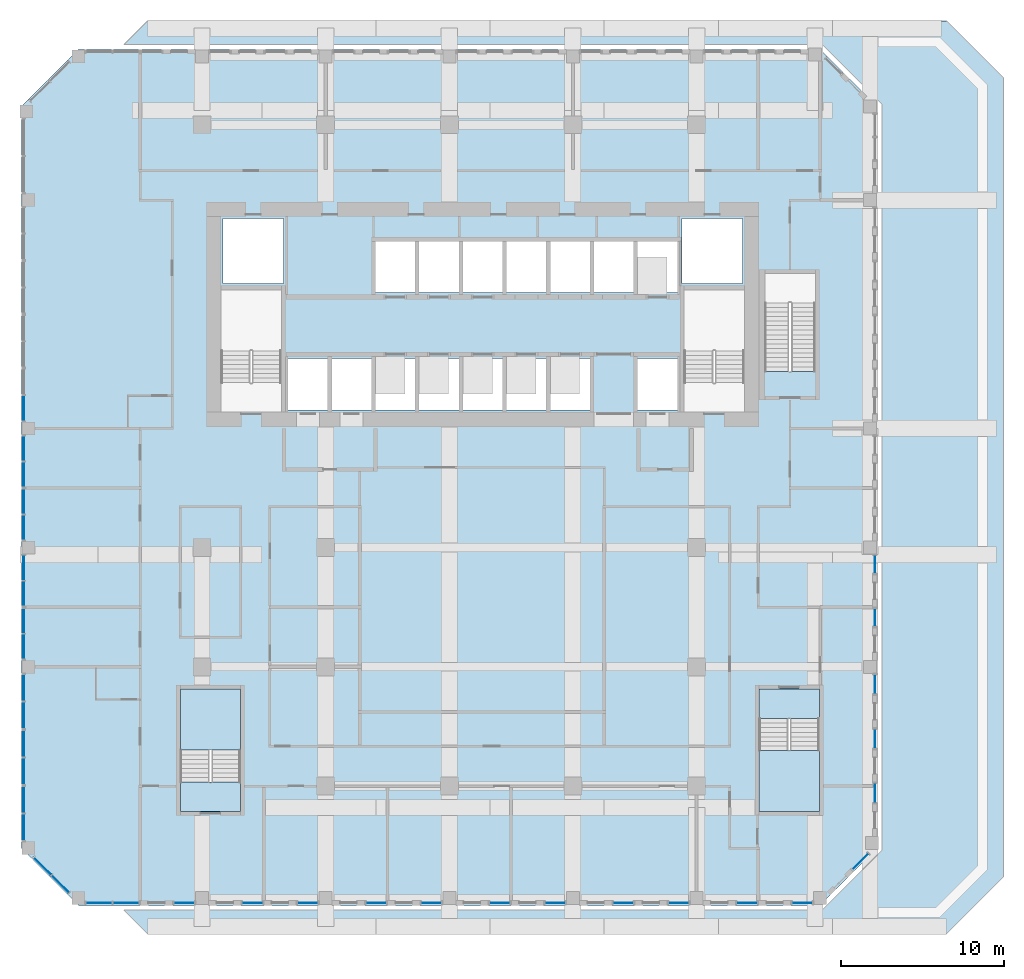
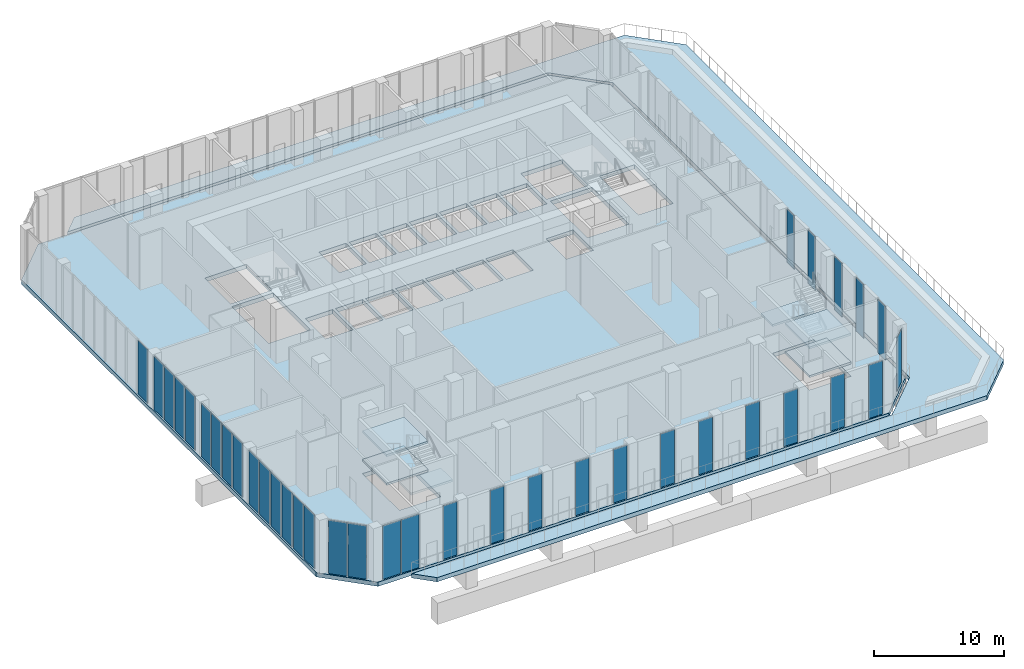
# One storey, part 7 of 19: 36 plates, 8 slabs, 29 elements without a shape of their own.
"""IFC4 building model written with IfcOpenShell, lengths in metres."""

from ifc_helpers import new_model, si_unit, direction, frame, origin, origin_2d, place, context, subcontext, project, spatial, polyline, rectangle, outline, extrude, source, transform, mapped, material, layer, layer_set, type_object, element, aggregate, save


model = new_model("IFC4")

# Units and contexts
model_context = context("Model", 3, precision=1e-05, world=origin(), true_north=direction((0.0, 1.0)))
body_context = subcontext(model_context, "Body", "Model", "MODEL_VIEW")
ifc_project = project(units=[si_unit("LENGTHUNIT", "METRE"), si_unit("AREAUNIT", "SQUARE_METRE"), si_unit("VOLUMEUNIT", "CUBIC_METRE"), si_unit("PLANEANGLEUNIT", "RADIAN"), si_unit("MASSUNIT", "GRAM", prefix="KILO")], contexts=[model_context])

# Site, building, storey
site_placement = place(None, origin())
site = spatial("IfcSite", under=ifc_project, at=site_placement, CompositionType="ELEMENT")
building_placement = place(site_placement, origin())
building = spatial("IfcBuilding", under=site, at=building_placement, Name="Kilnfold Tower and Market Hall", CompositionType="ELEMENT")
storey_placement = place(building_placement, frame((0.0, 0.0, 138.5)))
storey = spatial("IfcBuildingStorey", under=building, at=storey_placement, Name="L31", CompositionType="ELEMENT", Elevation=138.5)

# Slab
ifc_material_1 = material(Name="Concrete C45", Category="concrete")
ifc_layer_1 = layer(ifc_material_1, 0.39990234375)
ifc_layer_set_1 = layer_set([ifc_layer_1], Name="Concrete C45")
slab_type_1 = type_object("IfcSlabType", Name="FLOOR SLAB 400", PredefinedType="FLOOR", material=ifc_layer_set_1)
shared_shape_1 = source(origin(), body_context, "Body", "SweptSolid", [
    extrude(outline(polyline([(-23.75, -21.25), (21.75, -21.25), (25.25, -17.75), (25.25, 27.75), (21.75, 31.25), (-23.75, 31.25), (-27.25, 27.75), (-27.25, -17.75), (-23.75, -21.25)]), holes=[polyline([(-13.800537109375, -13.699462890625), (-17.49951171875, -13.699462890625), (-17.49951171875, -8.00048828125), (-13.800537109375, -8.00048828125), (-13.800537109375, -13.699462890625)]), polyline([(-14.99951171875, 10.800537109375), (-14.99951171875, 16.49951171875), (-11.300537109375, 16.49951171875), (-11.300537109375, 10.800537109375), (-14.99951171875, 10.800537109375)]), polyline([(-14.875, 16.875), (-14.875, 20.875), (-11.175048828125, 20.875), (-11.175048828125, 16.875), (-14.875, 16.875)]), polyline([(-8.455078125, 9.125), (-10.885009765625, 9.125), (-10.885009765625, 12.27490234375), (-8.455078125, 12.27490234375), (-8.455078125, 9.125)]), polyline([(-5.77490234375, 9.125), (-8.205078125, 9.125), (-8.205078125, 12.27490234375), (-5.77490234375, 12.27490234375), (-5.77490234375, 9.125)]), polyline([(-5.52490234375, 9.125), (-5.52490234375, 12.27490234375), (-3.094970703125, 12.27490234375), (-3.094970703125, 9.125), (-5.52490234375, 9.125)]), polyline([(-5.52490234375, 16.324951171875), (-5.52490234375, 19.47509765625), (-3.094970703125, 19.47509765625), (-3.094970703125, 16.324951171875), (-5.52490234375, 16.324951171875)]), polyline([(-2.844970703125, 9.125), (-2.844970703125, 12.27490234375), (-0.4150390625, 12.27490234375), (-0.4150390625, 9.125), (-2.844970703125, 9.125)]), polyline([(-0.4150390625, 16.324951171875), (-2.844970703125, 16.324951171875), (-2.844970703125, 19.47509765625), (-0.4150390625, 19.47509765625), (-0.4150390625, 16.324951171875)]), polyline([(2.264892578125, 9.125), (-0.1650390625, 9.125), (-0.1650390625, 12.27490234375), (2.264892578125, 12.27490234375), (2.264892578125, 9.125)]), polyline([(-0.1650390625, 16.324951171875), (-0.1650390625, 19.47509765625), (2.264892578125, 19.47509765625), (2.264892578125, 16.324951171875), (-0.1650390625, 16.324951171875)]), polyline([(4.945068359375, 9.125), (2.514892578125, 9.125), (2.514892578125, 12.27490234375), (4.945068359375, 12.27490234375), (4.945068359375, 9.125)]), polyline([(2.514892578125, 16.324951171875), (2.514892578125, 19.47509765625), (4.945068359375, 19.47509765625), (4.945068359375, 16.324951171875), (2.514892578125, 16.324951171875)]), polyline([(7.625, 9.125), (5.195068359375, 9.125), (5.195068359375, 12.27490234375), (7.625, 12.27490234375), (7.625, 9.125)]), polyline([(5.195068359375, 16.324951171875), (5.195068359375, 19.47509765625), (7.625, 19.47509765625), (7.625, 16.324951171875), (5.195068359375, 16.324951171875)]), polyline([(10.304931640625, 16.324951171875), (7.875, 16.324951171875), (7.875, 19.47509765625), (10.304931640625, 19.47509765625), (10.304931640625, 16.324951171875)]), polyline([(10.554931640625, 9.125), (10.554931640625, 12.27490234375), (12.985107421875, 12.27490234375), (12.985107421875, 9.125), (10.554931640625, 9.125)]), polyline([(10.554931640625, 16.324951171875), (10.554931640625, 19.47509765625), (12.985107421875, 19.47509765625), (12.985107421875, 16.324951171875), (10.554931640625, 16.324951171875)]), polyline([(13.27490234375, 16.875), (13.27490234375, 20.875), (16.97509765625, 20.875), (16.97509765625, 16.875), (13.27490234375, 16.875)]), polyline([(13.400390625, 10.800537109375), (13.400390625, 16.49951171875), (17.099609375, 16.49951171875), (17.099609375, 10.800537109375), (13.400390625, 10.800537109375)]), polyline([(18.00048828125, -9.800537109375), (21.699462890625, -9.800537109375), (21.699462890625, -15.49951171875), (18.00048828125, -15.49951171875), (18.00048828125, -9.800537109375)]), polyline([(21.449462890625, 11.50048828125), (18.3505859375, 11.50048828125), (18.3505859375, 17.49951171875), (21.449462890625, 17.49951171875), (21.449462890625, 11.50048828125)])]), origin(), (0.0, 0.0, 1.0), 0.400146484375),
])
slab_1_placement = place(storey_placement, frame((0.0, 0.0, -0.400146484375)))
element("IfcSlab", 1, at=slab_1_placement, inside=storey, type_object=slab_type_1, Name="Floor slab L31", PredefinedType="FLOOR", context=body_context, shape_type="MappedRepresentation", body=[
    mapped(shared_shape_1, transform((0.0, 0.0, 0.0))),
])

# Curtain wall, plates
ifc_material_2 = material(Name="Aluminium and double glazing", Category="aluminium")
curtain_wall_type = type_object("IfcCurtainWallType", Name="CW SKY LOBBY GLAZING", PredefinedType="NOTDEFINED", material=ifc_material_2)
curtain_wall_1_placement = place(storey_placement, origin())
curtain_wall_1 = element("IfcCurtainWall", 2, at=curtain_wall_1_placement, inside=storey, type_object=curtain_wall_type, Name="Curtain wall CW3 L31 S", PredefinedType="NOTDEFINED")
ifc_material_3 = material(Name="Double glazed unit")
ifc_layer_2 = layer(ifc_material_3, 0.035888671875)
ifc_layer_set_2 = layer_set([ifc_layer_2], Name="Double glazed unit")
plate_type = type_object("IfcPlateType", Name="GLAZING PANEL 36", PredefinedType="CURTAIN_PANEL", material=ifc_layer_set_2)
shared_shape_2 = source(origin(), body_context, "Body", "SweptSolid", [
    extrude(rectangle(XDim=1.57568359375, YDim=0.035888671875, at=origin_2d()), origin(), (0.0, 0.0, 1.0), 5.0400390625),
])
plate_1_placement = place(storey_placement, frame((-22.482177734375, -21.10009765625, 0.0), z_axis=(0.0, 0.0, 1.0), x_axis=(1.0, 0.0, 0.0)))
plate_1 = element("IfcPlate", 3, at=plate_1_placement, type_object=plate_type, Name="CW3 panel 1.1", PredefinedType="CURTAIN_PANEL", context=body_context, shape_type="MappedRepresentation", body=[
    mapped(shared_shape_2, transform((0.0, 0.0, 0.0))),
])
plate_2_placement = place(storey_placement, frame((-20.826416015625, -21.10009765625, 0.0), z_axis=(0.0, 0.0, 1.0), x_axis=(1.0, 0.0, 0.0)))
plate_2 = element("IfcPlate", 4, at=plate_2_placement, type_object=plate_type, Name="CW3 panel 2.1", PredefinedType="CURTAIN_PANEL", context=body_context, shape_type="MappedRepresentation", body=[
    mapped(shared_shape_2, transform((0.0, 0.0, 0.0))),
])
aggregate(curtain_wall_1, [plate_1, plate_2])

# Curtain wall, plate
curtain_wall_2_placement = place(storey_placement, origin())
curtain_wall_2 = element("IfcCurtainWall", 5, at=curtain_wall_2_placement, inside=storey, type_object=curtain_wall_type, Name="Curtain wall CW3 L31 S", PredefinedType="NOTDEFINED")
shared_shape_3 = source(origin(), body_context, "Body", "SweptSolid", [
    extrude(rectangle(XDim=1.231689453125, YDim=0.035888671875, at=origin_2d()), origin(), (0.0, 0.0, 1.0), 5.0400390625),
])
plate_3_placement = place(storey_placement, frame((-17.262451171875, -21.10009765625, 0.0), z_axis=(0.0, 0.0, 1.0), x_axis=(1.0, 0.0, 0.0)))
plate_3 = element("IfcPlate", 6, at=plate_3_placement, type_object=plate_type, Name="CW3 panel 1.1", PredefinedType="CURTAIN_PANEL", context=body_context, shape_type="MappedRepresentation", body=[
    mapped(shared_shape_3, transform((0.0, 0.0, 0.0))),
])
aggregate(curtain_wall_2, [plate_3])

curtain_wall_3_placement = place(storey_placement, origin())
curtain_wall_3 = element("IfcCurtainWall", 7, at=curtain_wall_3_placement, inside=storey, type_object=curtain_wall_type, Name="Curtain wall CW3 L31 S", PredefinedType="NOTDEFINED")
plate_4_placement = place(storey_placement, frame((-13.07080078125, -21.10009765625, 0.0), z_axis=(0.0, 0.0, 1.0), x_axis=(1.0, 0.0, 0.0)))
plate_4 = element("IfcPlate", 8, at=plate_4_placement, type_object=plate_type, Name="CW3 panel 1.1", PredefinedType="CURTAIN_PANEL", context=body_context, shape_type="MappedRepresentation", body=[
    mapped(shared_shape_3, transform((0.0, 0.0, 0.0))),
])
aggregate(curtain_wall_3, [plate_4])

curtain_wall_4_placement = place(storey_placement, origin())
curtain_wall_4 = element("IfcCurtainWall", 9, at=curtain_wall_4_placement, inside=storey, type_object=curtain_wall_type, Name="Curtain wall CW3 L31 S", PredefinedType="NOTDEFINED")
plate_5_placement = place(storey_placement, frame((-9.67919921875, -21.10009765625, 0.0), z_axis=(0.0, 0.0, 1.0), x_axis=(1.0, 0.0, 0.0)))
plate_5 = element("IfcPlate", 10, at=plate_5_placement, type_object=plate_type, Name="CW3 panel 1.1", PredefinedType="CURTAIN_PANEL", context=body_context, shape_type="MappedRepresentation", body=[
    mapped(shared_shape_3, transform((0.0, 0.0, 0.0))),
])
aggregate(curtain_wall_4, [plate_5])

curtain_wall_5_placement = place(storey_placement, origin())
curtain_wall_5 = element("IfcCurtainWall", 11, at=curtain_wall_5_placement, inside=storey, type_object=curtain_wall_type, Name="Curtain wall CW3 L31 S", PredefinedType="NOTDEFINED")
plate_6_placement = place(storey_placement, frame((-5.487548828125, -21.10009765625, 0.0), z_axis=(0.0, 0.0, 1.0), x_axis=(1.0, 0.0, 0.0)))
plate_6 = element("IfcPlate", 12, at=plate_6_placement, type_object=plate_type, Name="CW3 panel 1.1", PredefinedType="CURTAIN_PANEL", context=body_context, shape_type="MappedRepresentation", body=[
    mapped(shared_shape_3, transform((0.0, 0.0, 0.0))),
])
aggregate(curtain_wall_5, [plate_6])

curtain_wall_6_placement = place(storey_placement, origin())
curtain_wall_6 = element("IfcCurtainWall", 13, at=curtain_wall_6_placement, inside=storey, type_object=curtain_wall_type, Name="Curtain wall CW3 L31 S", PredefinedType="NOTDEFINED")
plate_7_placement = place(storey_placement, frame((-2.095703125, -21.10009765625, 0.0), z_axis=(0.0, 0.0, 1.0), x_axis=(1.0, 0.0, 0.0)))
plate_7 = element("IfcPlate", 14, at=plate_7_placement, type_object=plate_type, Name="CW3 panel 1.1", PredefinedType="CURTAIN_PANEL", context=body_context, shape_type="MappedRepresentation", body=[
    mapped(shared_shape_3, transform((0.0, 0.0, 0.0))),
])
aggregate(curtain_wall_6, [plate_7])

curtain_wall_7_placement = place(storey_placement, origin())
curtain_wall_7 = element("IfcCurtainWall", 15, at=curtain_wall_7_placement, inside=storey, type_object=curtain_wall_type, Name="Curtain wall CW3 L31 S", PredefinedType="NOTDEFINED")
plate_8_placement = place(storey_placement, frame((2.095703125, -21.10009765625, 0.0), z_axis=(0.0, 0.0, 1.0), x_axis=(1.0, 0.0, 0.0)))
plate_8 = element("IfcPlate", 16, at=plate_8_placement, type_object=plate_type, Name="CW3 panel 1.1", PredefinedType="CURTAIN_PANEL", context=body_context, shape_type="MappedRepresentation", body=[
    mapped(shared_shape_3, transform((0.0, 0.0, 0.0))),
])
aggregate(curtain_wall_7, [plate_8])

curtain_wall_8_placement = place(storey_placement, origin())
curtain_wall_8 = element("IfcCurtainWall", 17, at=curtain_wall_8_placement, inside=storey, type_object=curtain_wall_type, Name="Curtain wall CW3 L31 S", PredefinedType="NOTDEFINED")
plate_9_placement = place(storey_placement, frame((5.487548828125, -21.10009765625, 0.0), z_axis=(0.0, 0.0, 1.0), x_axis=(1.0, 0.0, 0.0)))
plate_9 = element("IfcPlate", 18, at=plate_9_placement, type_object=plate_type, Name="CW3 panel 1.1", PredefinedType="CURTAIN_PANEL", context=body_context, shape_type="MappedRepresentation", body=[
    mapped(shared_shape_3, transform((0.0, 0.0, 0.0))),
])
aggregate(curtain_wall_8, [plate_9])

curtain_wall_9_placement = place(storey_placement, origin())
curtain_wall_9 = element("IfcCurtainWall", 19, at=curtain_wall_9_placement, inside=storey, type_object=curtain_wall_type, Name="Curtain wall CW3 L31 S", PredefinedType="NOTDEFINED")
plate_10_placement = place(storey_placement, frame((9.67919921875, -21.10009765625, 0.0), z_axis=(0.0, 0.0, 1.0), x_axis=(1.0, 0.0, 0.0)))
plate_10 = element("IfcPlate", 20, at=plate_10_placement, type_object=plate_type, Name="CW3 panel 1.1", PredefinedType="CURTAIN_PANEL", context=body_context, shape_type="MappedRepresentation", body=[
    mapped(shared_shape_3, transform((0.0, 0.0, 0.0))),
])
aggregate(curtain_wall_9, [plate_10])

curtain_wall_10_placement = place(storey_placement, origin())
curtain_wall_10 = element("IfcCurtainWall", 21, at=curtain_wall_10_placement, inside=storey, type_object=curtain_wall_type, Name="Curtain wall CW3 L31 S", PredefinedType="NOTDEFINED")
plate_11_placement = place(storey_placement, frame((13.07080078125, -21.10009765625, 0.0), z_axis=(0.0, 0.0, 1.0), x_axis=(1.0, 0.0, 0.0)))
plate_11 = element("IfcPlate", 22, at=plate_11_placement, type_object=plate_type, Name="CW3 panel 1.1", PredefinedType="CURTAIN_PANEL", context=body_context, shape_type="MappedRepresentation", body=[
    mapped(shared_shape_3, transform((0.0, 0.0, 0.0))),
])
aggregate(curtain_wall_10, [plate_11])

curtain_wall_11_placement = place(storey_placement, origin())
curtain_wall_11 = element("IfcCurtainWall", 23, at=curtain_wall_11_placement, inside=storey, type_object=curtain_wall_type, Name="Curtain wall CW3 L31 S", PredefinedType="NOTDEFINED")
plate_12_placement = place(storey_placement, frame((17.262451171875, -21.10009765625, 0.0), z_axis=(0.0, 0.0, 1.0), x_axis=(1.0, 0.0, 0.0)))
plate_12 = element("IfcPlate", 24, at=plate_12_placement, type_object=plate_type, Name="CW3 panel 1.1", PredefinedType="CURTAIN_PANEL", context=body_context, shape_type="MappedRepresentation", body=[
    mapped(shared_shape_3, transform((0.0, 0.0, 0.0))),
])
aggregate(curtain_wall_11, [plate_12])

curtain_wall_12_placement = place(storey_placement, origin())
curtain_wall_12 = element("IfcCurtainWall", 25, at=curtain_wall_12_placement, inside=storey, type_object=curtain_wall_type, Name="Curtain wall CW3 L31 S", PredefinedType="NOTDEFINED")
plate_13_placement = place(storey_placement, frame((20.654052734375, -21.10009765625, 0.0), z_axis=(0.0, 0.0, 1.0), x_axis=(1.0, 0.0, 0.0)))
plate_13 = element("IfcPlate", 26, at=plate_13_placement, type_object=plate_type, Name="CW3 panel 1.1", PredefinedType="CURTAIN_PANEL", context=body_context, shape_type="MappedRepresentation", body=[
    mapped(shared_shape_3, transform((0.0, 0.0, 0.0))),
])
aggregate(curtain_wall_12, [plate_13])

curtain_wall_13_placement = place(storey_placement, origin())
curtain_wall_13 = element("IfcCurtainWall", 27, at=curtain_wall_13_placement, inside=storey, type_object=curtain_wall_type, Name="Curtain wall CW3 L31 SE", PredefinedType="NOTDEFINED")
shared_shape_4 = source(origin(), body_context, "Body", "SweptSolid", [
    extrude(rectangle(XDim=1.340087890625, YDim=0.035888671875, at=origin_2d()), origin(), (0.0, 0.0, 1.0), 5.0400390625),
])
plate_14_placement = place(storey_placement, frame((24.213623046875, -18.57421875, 0.0), z_axis=(0.0, 0.0, 1.0), x_axis=(0.707106781187, 0.707106781187, 0.0)))
plate_14 = element("IfcPlate", 28, at=plate_14_placement, type_object=plate_type, Name="CW3 panel 1.1", PredefinedType="CURTAIN_PANEL", context=body_context, shape_type="MappedRepresentation", body=[
    mapped(shared_shape_4, transform((0.0, 0.0, 0.0))),
])
aggregate(curtain_wall_13, [plate_14])

curtain_wall_14_placement = place(storey_placement, origin())
curtain_wall_14 = element("IfcCurtainWall", 29, at=curtain_wall_14_placement, inside=storey, type_object=curtain_wall_type, Name="Curtain wall CW3 L31 E", PredefinedType="NOTDEFINED")
shared_shape_5 = source(origin(), body_context, "Body", "SweptSolid", [
    extrude(rectangle(XDim=1.175537109375, YDim=0.035888671875, at=origin_2d()), origin(), (0.0, 0.0, 1.0), 5.0400390625),
])
plate_15_placement = place(storey_placement, frame((25.10009765625, -14.364013671875, 0.0), z_axis=(0.0, 0.0, 1.0), x_axis=(0.0, 1.0, 0.0)))
plate_15 = element("IfcPlate", 30, at=plate_15_placement, type_object=plate_type, Name="CW3 panel 1.1", PredefinedType="CURTAIN_PANEL", context=body_context, shape_type="MappedRepresentation", body=[
    mapped(shared_shape_5, transform((0.0, 0.0, 0.0))),
])
aggregate(curtain_wall_14, [plate_15])

curtain_wall_15_placement = place(storey_placement, origin())
curtain_wall_15 = element("IfcCurtainWall", 31, at=curtain_wall_15_placement, inside=storey, type_object=curtain_wall_type, Name="Curtain wall CW3 L31 E", PredefinedType="NOTDEFINED")
plate_16_placement = place(storey_placement, frame((25.10009765625, -11.0283203125, 0.0), z_axis=(0.0, 0.0, 1.0), x_axis=(0.0, 1.0, 0.0)))
plate_16 = element("IfcPlate", 32, at=plate_16_placement, type_object=plate_type, Name="CW3 panel 1.1", PredefinedType="CURTAIN_PANEL", context=body_context, shape_type="MappedRepresentation", body=[
    mapped(shared_shape_5, transform((0.0, 0.0, 0.0))),
])
aggregate(curtain_wall_15, [plate_16])

curtain_wall_16_placement = place(storey_placement, origin())
curtain_wall_16 = element("IfcCurtainWall", 33, at=curtain_wall_16_placement, inside=storey, type_object=curtain_wall_type, Name="Curtain wall CW3 L31 E", PredefinedType="NOTDEFINED")
plate_17_placement = place(storey_placement, frame((25.10009765625, -7.69287109375, 0.0), z_axis=(0.0, 0.0, 1.0), x_axis=(0.0, 1.0, 0.0)))
plate_17 = element("IfcPlate", 34, at=plate_17_placement, type_object=plate_type, Name="CW3 panel 1.1", PredefinedType="CURTAIN_PANEL", context=body_context, shape_type="MappedRepresentation", body=[
    mapped(shared_shape_5, transform((0.0, 0.0, 0.0))),
])
aggregate(curtain_wall_16, [plate_17])

curtain_wall_17_placement = place(storey_placement, origin())
curtain_wall_17 = element("IfcCurtainWall", 35, at=curtain_wall_17_placement, inside=storey, type_object=curtain_wall_type, Name="Curtain wall CW3 L31 E", PredefinedType="NOTDEFINED")
shared_shape_6 = source(origin(), body_context, "Body", "SweptSolid", [
    extrude(rectangle(XDim=1.09619140625, YDim=0.035888671875, at=origin_2d()), origin(), (0.0, 0.0, 1.0), 5.0400390625),
])
plate_18_placement = place(storey_placement, frame((25.10009765625, -3.596923828125, 0.0), z_axis=(0.0, 0.0, 1.0), x_axis=(0.0, 1.0, 0.0)))
plate_18 = element("IfcPlate", 36, at=plate_18_placement, type_object=plate_type, Name="CW3 panel 1.1", PredefinedType="CURTAIN_PANEL", context=body_context, shape_type="MappedRepresentation", body=[
    mapped(shared_shape_6, transform((0.0, 0.0, 0.0))),
])
aggregate(curtain_wall_17, [plate_18])

curtain_wall_18_placement = place(storey_placement, origin())
curtain_wall_18 = element("IfcCurtainWall", 37, at=curtain_wall_18_placement, inside=storey, type_object=curtain_wall_type, Name="Curtain wall CW3 L31 E", PredefinedType="NOTDEFINED")
plate_19_placement = place(storey_placement, frame((25.10009765625, -0.340576171875, 0.0), z_axis=(0.0, 0.0, 1.0), x_axis=(0.0, 1.0, 0.0)))
plate_19 = element("IfcPlate", 38, at=plate_19_placement, type_object=plate_type, Name="CW3 panel 1.1", PredefinedType="CURTAIN_PANEL", context=body_context, shape_type="MappedRepresentation", body=[
    mapped(shared_shape_6, transform((0.0, 0.0, 0.0))),
])
aggregate(curtain_wall_18, [plate_19])

curtain_wall_19_placement = place(storey_placement, origin())
curtain_wall_19 = element("IfcCurtainWall", 39, at=curtain_wall_19_placement, inside=storey, type_object=curtain_wall_type, Name="Curtain wall CW3 L31 W", PredefinedType="NOTDEFINED")
shared_shape_7 = source(origin(), body_context, "Body", "SweptSolid", [
    extrude(rectangle(XDim=1.530029296875, YDim=0.035888671875, at=origin_2d()), origin(), (0.0, 0.0, 1.0), 5.0400390625),
])
plate_20_placement = place(storey_placement, frame((-27.10009765625, 9.2451171875, 0.0), z_axis=(0.0, 0.0, 1.0), x_axis=(0.0, -1.0, 0.0)))
plate_20 = element("IfcPlate", 40, at=plate_20_placement, type_object=plate_type, Name="CW3 panel 2.1", PredefinedType="CURTAIN_PANEL", context=body_context, shape_type="MappedRepresentation", body=[
    mapped(shared_shape_7, transform((0.0, 0.0, 0.0))),
])
aggregate(curtain_wall_19, [plate_20])

# Curtain wall, plates
curtain_wall_20_placement = place(storey_placement, origin())
curtain_wall_20 = element("IfcCurtainWall", 41, at=curtain_wall_20_placement, inside=storey, type_object=curtain_wall_type, Name="Curtain wall CW3 L31 W", PredefinedType="NOTDEFINED")
shared_shape_8 = source(origin(), body_context, "Body", "SweptSolid", [
    extrude(rectangle(XDim=1.508056640625, YDim=0.035888671875, at=origin_2d()), origin(), (0.0, 0.0, 1.0), 5.0400390625),
])
plate_21_placement = place(storey_placement, frame((-27.10009765625, 6.765869140625, 0.0), z_axis=(0.0, 0.0, 1.0), x_axis=(0.0, -1.0, 0.0)))
plate_21 = element("IfcPlate", 42, at=plate_21_placement, type_object=plate_type, Name="CW3 panel 1.1", PredefinedType="CURTAIN_PANEL", context=body_context, shape_type="MappedRepresentation", body=[
    mapped(shared_shape_8, transform((0.0, 0.0, 0.0))),
])
plate_22_placement = place(storey_placement, frame((-27.10009765625, 5.177734375, 0.0), z_axis=(0.0, 0.0, 1.0), x_axis=(0.0, -1.0, 0.0)))
plate_22 = element("IfcPlate", 43, at=plate_22_placement, type_object=plate_type, Name="CW3 panel 2.1", PredefinedType="CURTAIN_PANEL", context=body_context, shape_type="MappedRepresentation", body=[
    mapped(shared_shape_8, transform((0.0, 0.0, 0.0))),
])
aggregate(curtain_wall_20, [plate_21, plate_22])

curtain_wall_21_placement = place(storey_placement, origin())
curtain_wall_21 = element("IfcCurtainWall", 44, at=curtain_wall_21_placement, inside=storey, type_object=curtain_wall_type, Name="Curtain wall CW3 L31 W", PredefinedType="NOTDEFINED")
plate_23_placement = place(storey_placement, frame((-27.10009765625, 3.509765625, 0.0), z_axis=(0.0, 0.0, 1.0), x_axis=(0.0, -1.0, 0.0)))
plate_23 = element("IfcPlate", 45, at=plate_23_placement, type_object=plate_type, Name="CW3 panel 1.1", PredefinedType="CURTAIN_PANEL", context=body_context, shape_type="MappedRepresentation", body=[
    mapped(shared_shape_8, transform((0.0, 0.0, 0.0))),
])
plate_24_placement = place(storey_placement, frame((-27.10009765625, 1.921630859375, 0.0), z_axis=(0.0, 0.0, 1.0), x_axis=(0.0, -1.0, 0.0)))
plate_24 = element("IfcPlate", 46, at=plate_24_placement, type_object=plate_type, Name="CW3 panel 2.1", PredefinedType="CURTAIN_PANEL", context=body_context, shape_type="MappedRepresentation", body=[
    mapped(shared_shape_8, transform((0.0, 0.0, 0.0))),
])
aggregate(curtain_wall_21, [plate_23, plate_24])

curtain_wall_22_placement = place(storey_placement, origin())
curtain_wall_22 = element("IfcCurtainWall", 47, at=curtain_wall_22_placement, inside=storey, type_object=curtain_wall_type, Name="Curtain wall CW3 L31 W", PredefinedType="NOTDEFINED")
plate_25_placement = place(storey_placement, frame((-27.10009765625, -0.546630859375, 0.0), z_axis=(0.0, 0.0, 1.0), x_axis=(0.0, -1.0, 0.0)))
plate_25 = element("IfcPlate", 48, at=plate_25_placement, type_object=plate_type, Name="CW3 panel 1.1", PredefinedType="CURTAIN_PANEL", context=body_context, shape_type="MappedRepresentation", body=[
    mapped(shared_shape_8, transform((0.0, 0.0, 0.0))),
])
plate_26_placement = place(storey_placement, frame((-27.10009765625, -2.134765625, 0.0), z_axis=(0.0, 0.0, 1.0), x_axis=(0.0, -1.0, 0.0)))
plate_26 = element("IfcPlate", 49, at=plate_26_placement, type_object=plate_type, Name="CW3 panel 2.1", PredefinedType="CURTAIN_PANEL", context=body_context, shape_type="MappedRepresentation", body=[
    mapped(shared_shape_8, transform((0.0, 0.0, 0.0))),
])
aggregate(curtain_wall_22, [plate_25, plate_26])

curtain_wall_23_placement = place(storey_placement, origin())
curtain_wall_23 = element("IfcCurtainWall", 50, at=curtain_wall_23_placement, inside=storey, type_object=curtain_wall_type, Name="Curtain wall CW3 L31 W", PredefinedType="NOTDEFINED")
plate_27_placement = place(storey_placement, frame((-27.10009765625, -3.802734375, 0.0), z_axis=(0.0, 0.0, 1.0), x_axis=(0.0, -1.0, 0.0)))
plate_27 = element("IfcPlate", 51, at=plate_27_placement, type_object=plate_type, Name="CW3 panel 1.1", PredefinedType="CURTAIN_PANEL", context=body_context, shape_type="MappedRepresentation", body=[
    mapped(shared_shape_8, transform((0.0, 0.0, 0.0))),
])
plate_28_placement = place(storey_placement, frame((-27.10009765625, -5.390869140625, 0.0), z_axis=(0.0, 0.0, 1.0), x_axis=(0.0, -1.0, 0.0)))
plate_28 = element("IfcPlate", 52, at=plate_28_placement, type_object=plate_type, Name="CW3 panel 2.1", PredefinedType="CURTAIN_PANEL", context=body_context, shape_type="MappedRepresentation", body=[
    mapped(shared_shape_8, transform((0.0, 0.0, 0.0))),
])
aggregate(curtain_wall_23, [plate_27, plate_28])

curtain_wall_24_placement = place(storey_placement, origin())
curtain_wall_24 = element("IfcCurtainWall", 53, at=curtain_wall_24_placement, inside=storey, type_object=curtain_wall_type, Name="Curtain wall CW3 L31 W", PredefinedType="NOTDEFINED")
shared_shape_9 = source(origin(), body_context, "Body", "SweptSolid", [
    extrude(rectangle(XDim=1.600830078125, YDim=0.035888671875, at=origin_2d()), origin(), (0.0, 0.0, 1.0), 5.0400390625),
])
plate_29_placement = place(storey_placement, frame((-27.10009765625, -7.905517578125, 0.0), z_axis=(0.0, 0.0, 1.0), x_axis=(0.0, -1.0, 0.0)))
plate_29 = element("IfcPlate", 54, at=plate_29_placement, type_object=plate_type, Name="CW3 panel 1.1", PredefinedType="CURTAIN_PANEL", context=body_context, shape_type="MappedRepresentation", body=[
    mapped(shared_shape_9, transform((0.0, 0.0, 0.0))),
])
plate_30_placement = place(storey_placement, frame((-27.10009765625, -9.586181640625, 0.0), z_axis=(0.0, 0.0, 1.0), x_axis=(0.0, -1.0, 0.0)))
plate_30 = element("IfcPlate", 55, at=plate_30_placement, type_object=plate_type, Name="CW3 panel 2.1", PredefinedType="CURTAIN_PANEL", context=body_context, shape_type="MappedRepresentation", body=[
    mapped(shared_shape_9, transform((0.0, 0.0, 0.0))),
])
aggregate(curtain_wall_24, [plate_29, plate_30])

curtain_wall_25_placement = place(storey_placement, origin())
curtain_wall_25 = element("IfcCurtainWall", 56, at=curtain_wall_25_placement, inside=storey, type_object=curtain_wall_type, Name="Curtain wall CW3 L31 W", PredefinedType="NOTDEFINED")
plate_31_placement = place(storey_placement, frame((-27.10009765625, -11.34716796875, 0.0), z_axis=(0.0, 0.0, 1.0), x_axis=(0.0, -1.0, 0.0)))
plate_31 = element("IfcPlate", 57, at=plate_31_placement, type_object=plate_type, Name="CW3 panel 1.1", PredefinedType="CURTAIN_PANEL", context=body_context, shape_type="MappedRepresentation", body=[
    mapped(shared_shape_9, transform((0.0, 0.0, 0.0))),
])
plate_32_placement = place(storey_placement, frame((-27.10009765625, -13.02783203125, 0.0), z_axis=(0.0, 0.0, 1.0), x_axis=(0.0, -1.0, 0.0)))
plate_32 = element("IfcPlate", 58, at=plate_32_placement, type_object=plate_type, Name="CW3 panel 2.1", PredefinedType="CURTAIN_PANEL", context=body_context, shape_type="MappedRepresentation", body=[
    mapped(shared_shape_9, transform((0.0, 0.0, 0.0))),
])
aggregate(curtain_wall_25, [plate_31, plate_32])

curtain_wall_26_placement = place(storey_placement, origin())
curtain_wall_26 = element("IfcCurtainWall", 59, at=curtain_wall_26_placement, inside=storey, type_object=curtain_wall_type, Name="Curtain wall CW3 L31 W", PredefinedType="NOTDEFINED")
plate_33_placement = place(storey_placement, frame((-27.10009765625, -14.788818359375, 0.0), z_axis=(0.0, 0.0, 1.0), x_axis=(0.0, -1.0, 0.0)))
plate_33 = element("IfcPlate", 60, at=plate_33_placement, type_object=plate_type, Name="CW3 panel 1.1", PredefinedType="CURTAIN_PANEL", context=body_context, shape_type="MappedRepresentation", body=[
    mapped(shared_shape_9, transform((0.0, 0.0, 0.0))),
])
plate_34_placement = place(storey_placement, frame((-27.10009765625, -16.469482421875, 0.0), z_axis=(0.0, 0.0, 1.0), x_axis=(0.0, -1.0, 0.0)))
plate_34 = element("IfcPlate", 61, at=plate_34_placement, type_object=plate_type, Name="CW3 panel 2.1", PredefinedType="CURTAIN_PANEL", context=body_context, shape_type="MappedRepresentation", body=[
    mapped(shared_shape_9, transform((0.0, 0.0, 0.0))),
])
aggregate(curtain_wall_26, [plate_33, plate_34])

curtain_wall_27_placement = place(storey_placement, origin())
curtain_wall_27 = element("IfcCurtainWall", 62, at=curtain_wall_27_placement, inside=storey, type_object=curtain_wall_type, Name="Curtain wall CW3 L31 SW", PredefinedType="NOTDEFINED")
shared_shape_10 = source(origin(), body_context, "Body", "SweptSolid", [
    extrude(rectangle(XDim=1.470947265625, YDim=0.035888671875, at=origin_2d()), origin(), (0.0, 0.0, 1.0), 5.0400390625),
])
plate_35_placement = place(storey_placement, frame((-25.942138671875, -18.845458984375, 0.0), z_axis=(0.0, 0.0, 1.0), x_axis=(0.70709106788, -0.707122494144, 0.0)))
plate_35 = element("IfcPlate", 63, at=plate_35_placement, type_object=plate_type, Name="CW3 panel 1.1", PredefinedType="CURTAIN_PANEL", context=body_context, shape_type="MappedRepresentation", body=[
    mapped(shared_shape_10, transform((0.0, 0.0, 0.0))),
])
plate_36_placement = place(storey_placement, frame((-24.845458984375, -19.9423828125, 0.0), z_axis=(0.0, 0.0, 1.0), x_axis=(0.70709106788, -0.707122494144, 0.0)))
plate_36 = element("IfcPlate", 64, at=plate_36_placement, type_object=plate_type, Name="CW3 panel 2.1", PredefinedType="CURTAIN_PANEL", context=body_context, shape_type="MappedRepresentation", body=[
    mapped(shared_shape_10, transform((0.0, 0.0, 0.0))),
])
aggregate(curtain_wall_27, [plate_35, plate_36])

# Slab
ifc_material_4 = material(Name="Concrete C40/50", Category="concrete")
ifc_layer_3 = layer(ifc_material_4, 0.39990234375)
ifc_layer_set_3 = layer_set([ifc_layer_3], Name="Concrete C40/50")
slab_type_2 = type_object("IfcSlabType", Name="TOWER TERRACE SLAB 400", PredefinedType="ROOF", material=ifc_layer_set_3)
shared_shape_11 = source(origin(), body_context, "Body", "SweptSolid", [
    extrude(outline(polyline([(-19.5, 33.0), (29.5, 33.0), (33.0, 29.5), (33.0, -19.5), (29.5, -23.0), (-19.5, -23.0), (-20.949951171875, -21.550048828125), (21.874267578125, -21.550048828125), (25.550048828125, -17.874267578125), (25.550048828125, 27.874267578125), (21.874267578125, 31.550048828125), (-20.949951171875, 31.550048828125), (-19.5, 33.0)])), origin(), (0.0, 0.0, 1.0), 0.39990234375),
])
slab_2_placement = place(storey_placement, frame((0.0, 0.0, -0.39990234375)))
element("IfcSlab", 65, at=slab_2_placement, inside=storey, type_object=slab_type_2, Name="Terrace slab L31 1", PredefinedType="ROOF", context=body_context, shape_type="MappedRepresentation", body=[
    mapped(shared_shape_11, transform((0.0, 0.0, 0.0))),
])

# Stair, slabs
ifc_material_5 = material(Name="Concrete C40/50", Category="concrete")
stair_type = type_object("IfcStairType", Name="CORE STAIR 1800", PredefinedType="HALF_TURN_STAIR", material=ifc_material_5)
stair_1_placement = place(storey_placement, origin())
stair_1 = element("IfcStair", 66, at=stair_1_placement, inside=storey, type_object=stair_type, Name="L31 ST3", PredefinedType="HALF_TURN_STAIR")
ifc_material_6 = material(Name="Concrete C40/50", Category="concrete")
ifc_layer_4 = layer(ifc_material_6, 0.199951171875)
ifc_layer_set_4 = layer_set([ifc_layer_4], Name="Concrete C40/50")
slab_type_3 = type_object("IfcSlabType", Name="CORE STAIR LANDING 200", PredefinedType="LANDING", material=ifc_layer_set_4)
shared_shape_12 = source(origin(), body_context, "Body", "SweptSolid", [
    extrude(outline(polyline([(-13.800048828125, -15.5), (-13.800048828125, -13.699951171875), (-17.5, -13.699951171875), (-17.5, -15.5), (-13.800048828125, -15.5)])), origin(), (0.0, 0.0, 1.0), 0.199951171875),
])
slab_3_placement = place(storey_placement, frame((0.0, 0.0, 2.5)))
slab_3 = element("IfcSlab", 67, at=slab_3_placement, type_object=slab_type_3, Name="ST3 landing 2", PredefinedType="LANDING", context=body_context, shape_type="MappedRepresentation", body=[
    mapped(shared_shape_12, transform((0.0, 0.0, 0.0))),
])
shared_shape_13 = source(origin(), body_context, "Body", "SweptSolid", [
    extrude(outline(polyline([(-13.800048828125, -11.739990234375), (-13.800048828125, -8.0), (-17.5, -8.0), (-17.5, -11.739990234375), (-13.800048828125, -11.739990234375)])), origin(), (0.0, 0.0, 1.0), 0.199951171875),
])
slab_4_placement = place(storey_placement, frame((0.0, 0.0, 3.85009765625)))
slab_4 = element("IfcSlab", 68, at=slab_4_placement, type_object=slab_type_3, Name="ST3 landing 3", PredefinedType="LANDING", context=body_context, shape_type="MappedRepresentation", body=[
    mapped(shared_shape_13, transform((0.0, 0.0, 0.0))),
])
shared_shape_14 = source(origin(), body_context, "Body", "SweptSolid", [
    extrude(outline(polyline([(-13.800048828125, -11.739990234375), (-13.800048828125, -8.0), (-17.5, -8.0), (-17.5, -11.739990234375), (-13.800048828125, -11.739990234375)])), origin(), (0.0, 0.0, 1.0), 0.2001953125),
])
slab_5_placement = place(storey_placement, frame((0.0, 0.0, 1.14990234375)))
slab_5 = element("IfcSlab", 69, at=slab_5_placement, type_object=slab_type_3, Name="ST3 landing 1", PredefinedType="LANDING", context=body_context, shape_type="MappedRepresentation", body=[
    mapped(shared_shape_14, transform((0.0, 0.0, 0.0))),
])
aggregate(stair_1, [slab_5, slab_3, slab_4])

stair_2_placement = place(storey_placement, origin())
stair_2 = element("IfcStair", 70, at=stair_2_placement, inside=storey, type_object=stair_type, Name="L31 ST4", PredefinedType="HALF_TURN_STAIR")
shared_shape_15 = source(origin(), body_context, "Body", "SweptSolid", [
    extrude(outline(polyline([(18.0, -8.0), (18.0, -9.800048828125), (21.699951171875, -9.800048828125), (21.699951171875, -8.0), (18.0, -8.0)])), origin(), (0.0, 0.0, 1.0), 0.199951171875),
])
slab_6_placement = place(storey_placement, frame((0.0, 0.0, 2.5)))
slab_6 = element("IfcSlab", 71, at=slab_6_placement, type_object=slab_type_3, Name="ST4 landing 2", PredefinedType="LANDING", context=body_context, shape_type="MappedRepresentation", body=[
    mapped(shared_shape_15, transform((0.0, 0.0, 0.0))),
])
shared_shape_16 = source(origin(), body_context, "Body", "SweptSolid", [
    extrude(outline(polyline([(18.0, -11.760009765625), (18.0, -15.5), (21.699951171875, -15.5), (21.699951171875, -11.760009765625), (18.0, -11.760009765625)])), origin(), (0.0, 0.0, 1.0), 0.199951171875),
])
slab_7_placement = place(storey_placement, frame((0.0, 0.0, 3.85009765625)))
slab_7 = element("IfcSlab", 72, at=slab_7_placement, type_object=slab_type_3, Name="ST4 landing 3", PredefinedType="LANDING", context=body_context, shape_type="MappedRepresentation", body=[
    mapped(shared_shape_16, transform((0.0, 0.0, 0.0))),
])
shared_shape_17 = source(origin(), body_context, "Body", "SweptSolid", [
    extrude(outline(polyline([(18.0, -11.760009765625), (18.0, -15.5), (21.699951171875, -15.5), (21.699951171875, -11.760009765625), (18.0, -11.760009765625)])), origin(), (0.0, 0.0, 1.0), 0.2001953125),
])
slab_8_placement = place(storey_placement, frame((0.0, 0.0, 1.14990234375)))
slab_8 = element("IfcSlab", 73, at=slab_8_placement, type_object=slab_type_3, Name="ST4 landing 1", PredefinedType="LANDING", context=body_context, shape_type="MappedRepresentation", body=[
    mapped(shared_shape_17, transform((0.0, 0.0, 0.0))),
])
aggregate(stair_2, [slab_8, slab_6, slab_7])

save(model, "model.ifc")
